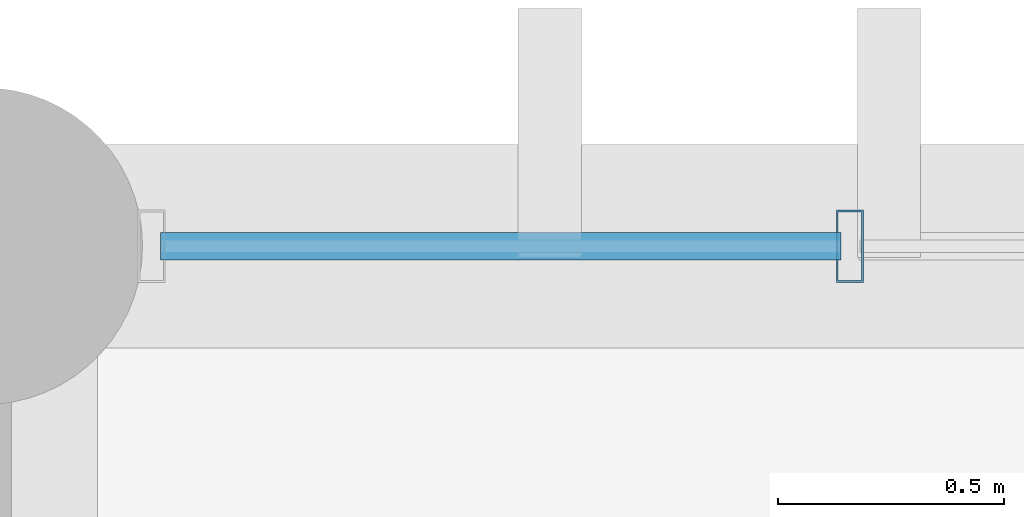
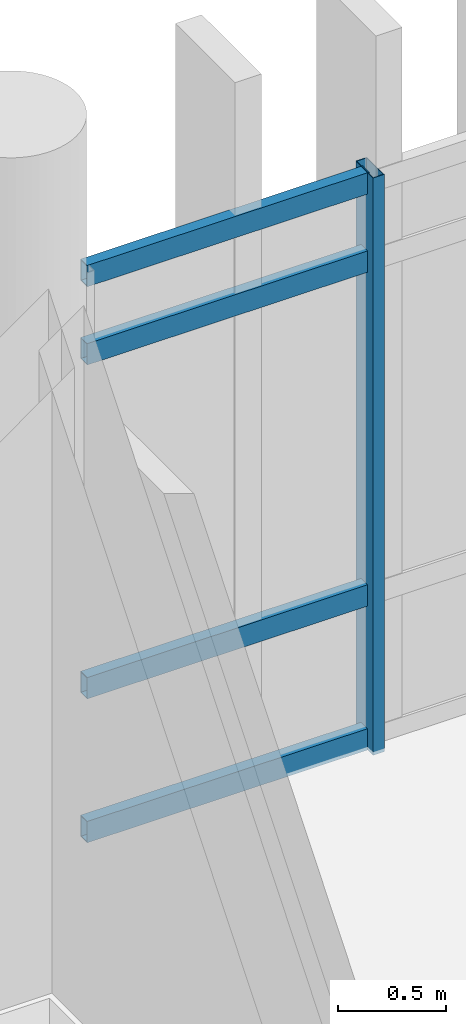
# One storey, part 37 of 82: 5 members, 1 element without a shape of its own.
"""IFC4 building model written with IfcOpenShell, lengths in metres."""

from ifc_helpers import new_model, si_unit, direction, frame, origin, origin_2d, place, context, subcontext, project, spatial, hollow_rectangle, extrude, material, layer, layer_set, material_profile, profile_set, type_object, element, aggregate, save


model = new_model("IFC4")

# Units and contexts
model_context = context("Model", 3, precision=1e-05, world=origin(), true_north=direction((0.0, 1.0)))
body_context = subcontext(model_context, "Body", "Model", "MODEL_VIEW")
ifc_project = project(units=[si_unit("LENGTHUNIT", "METRE"), si_unit("AREAUNIT", "SQUARE_METRE"), si_unit("VOLUMEUNIT", "CUBIC_METRE"), si_unit("PLANEANGLEUNIT", "RADIAN"), si_unit("MASSUNIT", "GRAM", prefix="KILO")], contexts=[model_context])

# Site, building, storey
site_placement = place(None, origin())
site = spatial("IfcSite", under=ifc_project, at=site_placement, CompositionType="ELEMENT")
building_placement = place(site_placement, origin())
building = spatial("IfcBuilding", under=site, at=building_placement, Name="Mersad Railyard Sports Hall", CompositionType="ELEMENT")
storey_placement = place(building_placement, frame((0.0, 0.0, 13.199951171875)))
storey = spatial("IfcBuildingStorey", under=building, at=storey_placement, Name="L03", CompositionType="ELEMENT", Elevation=13.199951171875)

# Curtain wall, members
ifc_material = material(Name="Aluminium 6063-T6", Category="aluminium")
ifc_layer = layer(ifc_material, 0.159912109375)
ifc_layer_set = layer_set([ifc_layer], Name="Aluminium 6063-T6")
curtain_wall_type = type_object("IfcCurtainWallType", Name="ARC-CW-CW58", PredefinedType="USERDEFINED", material=ifc_layer_set)
curtain_wall_placement = place(storey_placement, origin())
curtain_wall = element("IfcCurtainWall", 1, at=curtain_wall_placement, inside=storey, type_object=curtain_wall_type, Name="Curtain wall CW58-0153", ObjectType="CURTAIN WALL", PredefinedType="USERDEFINED")
ifc_material_profile_1 = material_profile(ifc_material, hollow_rectangle(XDim=0.06005859375, YDim=0.159912109375, WallThickness=0.00390625, at=origin_2d()), Name="AL MULLION 60x160x4")
ifc_profile_set_1 = profile_set([ifc_material_profile_1], Name="Aluminium 6063-T6")
member_type_1 = type_object("IfcMemberType", Name="ARC-CW-MUL01", PredefinedType="MULLION", material=ifc_profile_set_1)
member_1_placement = place(storey_placement, frame((102.913330078125, 115.0, -0.02001953125), z_axis=(0.0, 0.0, 1.0), x_axis=(1.0, 0.0, 0.0)))
member_1 = element("IfcMember", 2, at=member_1_placement, type_object=member_type_1, Name="CW58 Mullion 2", PredefinedType="MULLION", context=body_context, shape_type="SweptSolid", body=[
    extrude(hollow_rectangle(XDim=0.06005859375, YDim=0.159912109375, WallThickness=0.00390625, at=origin_2d()), origin(), (0.0, 0.0, 1.0), 3.25),
])
ifc_material_profile_2 = material_profile(ifc_material, hollow_rectangle(XDim=0.06005859375, YDim=0.1201171875, WallThickness=0.00390625, at=origin_2d()), Name="AL TRANSOM 60x120x4")
ifc_profile_set_2 = profile_set([ifc_material_profile_2], Name="Aluminium 6063-T6")
member_type_2 = type_object("IfcMemberType", Name="ARC-CW-TRN01", PredefinedType="USERDEFINED", material=ifc_profile_set_2)
member_2_placement = place(storey_placement, frame((101.389892578125, 115.0, 0.0400390625), z_axis=(1.0, 0.0, 0.0), x_axis=(0.0, 1.0, 0.0)))
member_2 = element("IfcMember", 3, at=member_2_placement, type_object=member_type_2, Name="CW58 Transom 1-1", ObjectType="TRANSOM", PredefinedType="USERDEFINED", context=body_context, shape_type="SweptSolid", body=[
    extrude(hollow_rectangle(XDim=0.06005859375, YDim=0.1201171875, WallThickness=0.00390625, at=origin_2d()), origin(), (0.0, 0.0, 1.0), 1.50341796875),
])
member_3_placement = place(storey_placement, frame((101.389892578125, 115.0, 0.85009765625), z_axis=(1.0, 0.0, 0.0), x_axis=(0.0, 1.0, 0.0)))
member_3 = element("IfcMember", 4, at=member_3_placement, type_object=member_type_2, Name="CW58 Transom 2-1", ObjectType="TRANSOM", PredefinedType="USERDEFINED", context=body_context, shape_type="SweptSolid", body=[
    extrude(hollow_rectangle(XDim=0.06005859375, YDim=0.1201171875, WallThickness=0.00390625, at=origin_2d()), origin(), (0.0, 0.0, 1.0), 1.50341796875),
])
member_4_placement = place(storey_placement, frame((101.389892578125, 115.0, 2.72998046875), z_axis=(1.0, 0.0, 0.0), x_axis=(0.0, 1.0, 0.0)))
member_4 = element("IfcMember", 5, at=member_4_placement, type_object=member_type_2, Name="CW58 Transom 3-1", ObjectType="TRANSOM", PredefinedType="USERDEFINED", context=body_context, shape_type="SweptSolid", body=[
    extrude(hollow_rectangle(XDim=0.06005859375, YDim=0.1201171875, WallThickness=0.00390625, at=origin_2d()), origin(), (0.0, 0.0, 1.0), 1.50341796875),
])
member_5_placement = place(storey_placement, frame((101.389892578125, 115.0, 3.170166015625), z_axis=(1.0, 0.0, 0.0), x_axis=(0.0, 1.0, 0.0)))
member_5 = element("IfcMember", 6, at=member_5_placement, type_object=member_type_2, Name="CW58 Transom 4-1", ObjectType="TRANSOM", PredefinedType="USERDEFINED", context=body_context, shape_type="SweptSolid", body=[
    extrude(hollow_rectangle(XDim=0.06005859375, YDim=0.1201171875, WallThickness=0.00390625, at=origin_2d()), origin(), (0.0, 0.0, 1.0), 1.50341796875),
])
aggregate(curtain_wall, [member_1, member_2, member_3, member_4, member_5])

save(model, "model.ifc")
